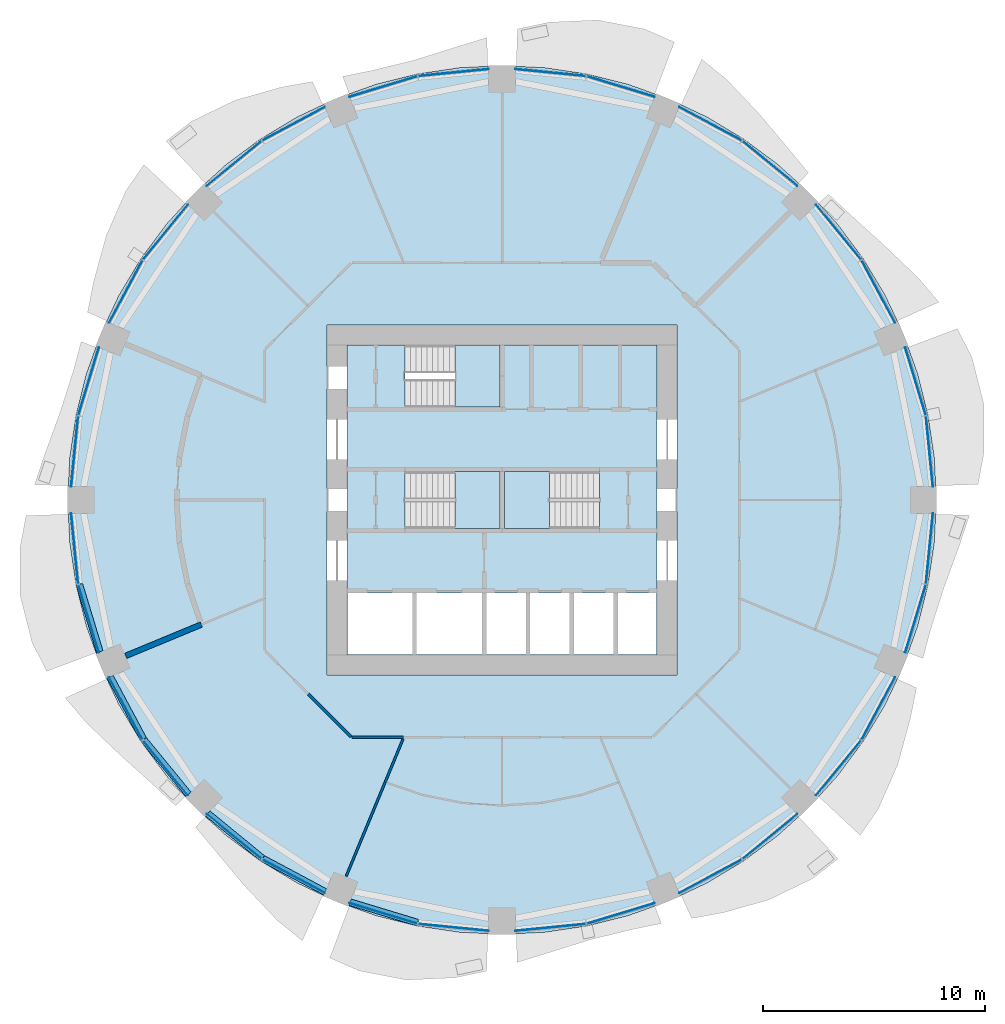
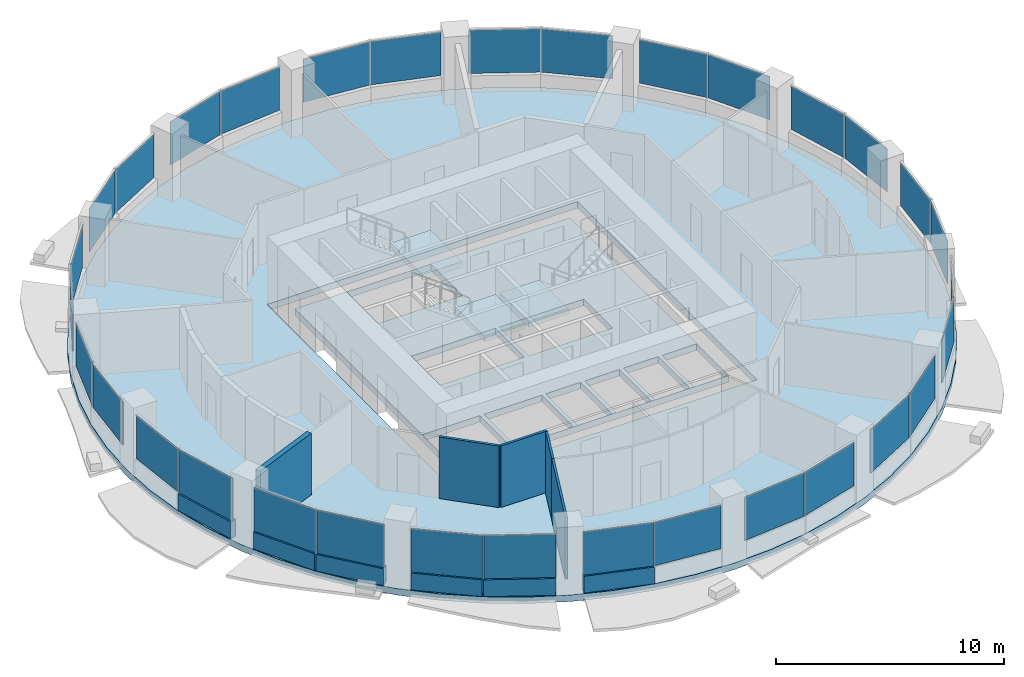
# One storey, part 7 of 15: 32 plates, 11 walls, 5 slabs, 19 elements without a shape of their own.
"""IFC4 building model written with IfcOpenShell, lengths in metres."""

from ifc_helpers import new_model, si_unit, direction, frame, frame_2d, origin, origin_2d, place, context, subcontext, project, spatial, polyline, rectangle, outline, extrude, material, layer, layer_set, type_object, element, aggregate, save


model = new_model("IFC4")

# Units and contexts
model_context = context("Model", 3, precision=1e-05, world=origin(), true_north=direction((0.0, 1.0)))
body_context = subcontext(model_context, "Body", "Model", "MODEL_VIEW")
ifc_project = project(units=[si_unit("LENGTHUNIT", "METRE"), si_unit("AREAUNIT", "SQUARE_METRE"), si_unit("VOLUMEUNIT", "CUBIC_METRE"), si_unit("PLANEANGLEUNIT", "RADIAN"), si_unit("MASSUNIT", "GRAM", prefix="KILO")], contexts=[model_context])

# Site, building, storey
site_placement = place(None, origin())
site = spatial("IfcSite", under=ifc_project, at=site_placement, CompositionType="ELEMENT")
building_placement = place(site_placement, origin())
building = spatial("IfcBuilding", under=site, at=building_placement, Name="Polderwave Tower", CompositionType="ELEMENT")
storey_placement = place(building_placement, frame((0.0, 0.0, 62.699951171875)))
storey = spatial("IfcBuildingStorey", under=building, at=storey_placement, Name="L16", CompositionType="ELEMENT", Elevation=62.699951171875)

# Slab
ifc_material_1 = material(Name="Concrete C40/50", Category="concrete")
ifc_layer_1 = layer(ifc_material_1, 0.35009765625)
ifc_layer_set_1 = layer_set([ifc_layer_1], Name="Core floor slab 350")
slab_type_1 = type_object("IfcSlabType", Name="Core floor slab 350", PredefinedType="FLOOR", material=ifc_layer_set_1)
slab_1_placement = place(storey_placement, frame((0.0, 0.0, -0.349853515625)))
element("IfcSlab", 1, at=slab_1_placement, inside=storey, type_object=slab_type_1, Name="L16 core floor", PredefinedType="FLOOR", context=body_context, shape_type="SweptSolid", body=[
    extrude(outline(polyline([(-6.97412109375, -6.97412109375), (6.97412109375, -6.97412109375), (6.97412109375, 6.97412109375), (-6.97412109375, 6.97412109375), (-6.97412109375, -6.97412109375)]), holes=[polyline([(-6.9541015625, -6.9541015625), (-4.037109375, -6.9541015625), (-4.037109375, -4.174072265625), (-6.9541015625, -4.174072265625), (-6.9541015625, -6.9541015625)]), polyline([(-3.8369140625, -6.9541015625), (-0.89990234375, -6.9541015625), (-0.89990234375, -4.174072265625), (-3.8369140625, -4.174072265625), (-3.8369140625, -6.9541015625)]), polyline([(-0.699951171875, -6.9541015625), (1.068603515625, -6.9541015625), (1.068603515625, -4.174072265625), (-0.699951171875, -4.174072265625), (-0.699951171875, -6.9541015625)]), polyline([(1.2685546875, -6.9541015625), (3.037109375, -6.9541015625), (3.037109375, -4.174072265625), (1.2685546875, -4.174072265625), (1.2685546875, -6.9541015625)]), polyline([(3.237060546875, -6.9541015625), (5.005615234375, -6.9541015625), (5.005615234375, -4.174072265625), (3.237060546875, -4.174072265625), (3.237060546875, -6.9541015625)]), polyline([(5.20556640625, -6.9541015625), (6.9541015625, -6.9541015625), (6.9541015625, -4.174072265625), (5.20556640625, -4.174072265625), (5.20556640625, -6.9541015625)]), polyline([(-4.37353515625, -1.2744140625), (-0.1005859375, -1.2744140625), (-0.1005859375, 1.2744140625), (-4.37353515625, 1.2744140625), (-4.37353515625, -1.2744140625)]), polyline([(0.1005859375, -1.2744140625), (4.37353515625, -1.2744140625), (4.37353515625, 1.2744140625), (0.1005859375, 1.2744140625), (0.1005859375, -1.2744140625)]), polyline([(-4.37353515625, 4.174560546875), (-0.1005859375, 4.174560546875), (-0.1005859375, 6.9541015625), (-4.37353515625, 6.9541015625), (-4.37353515625, 4.174560546875)])]), origin(), (0.0, 0.0, 1.0), 0.349853515625),
])

# Curtain wall, plates
ifc_material_2 = material(Name="Aluminium 6063-T6 and glass", Category="aluminium")
curtain_wall_type = type_object("IfcCurtainWallType", Name="Growing floor ribbon glazing wall", PredefinedType="NOTDEFINED", material=ifc_material_2)
curtain_wall_1_placement = place(storey_placement, origin())
curtain_wall_1 = element("IfcCurtainWall", 2, at=curtain_wall_1_placement, inside=storey, type_object=curtain_wall_type, Name="CW2 L16 00", PredefinedType="NOTDEFINED")
ifc_material_3 = material(Name="Glass, low-e laminated double glazing", Category="glass")
ifc_layer_2 = layer(ifc_material_3, 0.028076171875)
ifc_layer_set_2 = layer_set([ifc_layer_2], Name="Growing floor ribbon glazing glass panel 28 mm")
plate_type = type_object("IfcPlateType", Name="Growing floor ribbon glazing glass panel 28 mm", PredefinedType="CURTAIN_PANEL", material=ifc_layer_set_2)
plate_1_placement = place(storey_placement, frame((19.22509765625, 2.181640625, 0.89990234375), z_axis=(0.0, 0.0, 1.0), x_axis=(-0.098176936167, 0.995168975202, 0.0)))
plate_1 = element("IfcPlate", 3, at=plate_1_placement, type_object=plate_type, Name="CW2 panel 1", PredefinedType="CURTAIN_PANEL", context=body_context, shape_type="SweptSolid", body=[
    extrude(rectangle(XDim=3.178466796875, YDim=0.028076171875, at=origin_2d()), origin(), (0.0, 0.0, 1.0), 2.320068359375),
])
plate_2_placement = place(storey_placement, frame((18.59619140625, 5.341796875, 0.89990234375), z_axis=(0.0, 0.0, 1.0), x_axis=(-0.290293028123, 0.956937802484, 0.0)))
plate_2 = element("IfcPlate", 4, at=plate_2_placement, type_object=plate_type, Name="CW2 panel 2", PredefinedType="CURTAIN_PANEL", context=body_context, shape_type="SweptSolid", body=[
    extrude(rectangle(XDim=3.177001953125, YDim=0.028076171875, at=origin_2d()), origin(), (0.0, 0.0, 1.0), 2.320068359375),
])
aggregate(curtain_wall_1, [plate_1, plate_2])

curtain_wall_2_placement = place(storey_placement, origin())
curtain_wall_2 = element("IfcCurtainWall", 5, at=curtain_wall_2_placement, inside=storey, type_object=curtain_wall_type, Name="CW2 L16 01", PredefinedType="NOTDEFINED")
plate_3_placement = place(storey_placement, frame((16.927001953125, 9.372314453125, 0.89990234375), z_axis=(0.0, 0.0, 1.0), x_axis=(-0.471364412407, 0.881938541349, 0.0)))
plate_3 = element("IfcPlate", 6, at=plate_3_placement, type_object=plate_type, Name="CW2 panel 1", PredefinedType="CURTAIN_PANEL", context=body_context, shape_type="SweptSolid", body=[
    extrude(rectangle(XDim=3.177734375, YDim=0.028076171875, at=origin_2d()), origin(), (0.0, 0.0, 1.0), 2.320068359375),
])
plate_4_placement = place(storey_placement, frame((15.136962890625, 12.051513671875, 0.89990234375), z_axis=(0.0, 0.0, 1.0), x_axis=(-0.634340665542, 0.773053633353, 0.0)))
plate_4 = element("IfcPlate", 7, at=plate_4_placement, type_object=plate_type, Name="CW2 panel 2", PredefinedType="CURTAIN_PANEL", context=body_context, shape_type="SweptSolid", body=[
    extrude(rectangle(XDim=3.177978515625, YDim=0.028076171875, at=origin_2d()), origin(), (0.0, 0.0, 1.0), 2.320068359375),
])
aggregate(curtain_wall_2, [plate_3, plate_4])

curtain_wall_3_placement = place(storey_placement, origin())
curtain_wall_3 = element("IfcCurtainWall", 8, at=curtain_wall_3_placement, inside=storey, type_object=curtain_wall_type, Name="CW2 L16 02", PredefinedType="NOTDEFINED")
plate_5_placement = place(storey_placement, frame((12.051513671875, 15.136962890625, 0.89990234375), z_axis=(0.0, 0.0, 1.0), x_axis=(-0.773053633353, 0.634340665542, 0.0)))
plate_5 = element("IfcPlate", 9, at=plate_5_placement, type_object=plate_type, Name="CW2 panel 1", PredefinedType="CURTAIN_PANEL", context=body_context, shape_type="SweptSolid", body=[
    extrude(rectangle(XDim=3.177978515625, YDim=0.028076171875, at=origin_2d()), origin(), (0.0, 0.0, 1.0), 2.320068359375),
])
plate_6_placement = place(storey_placement, frame((9.372314453125, 16.927001953125, 0.89990234375), z_axis=(0.0, 0.0, 1.0), x_axis=(-0.881938541349, 0.471364412407, 0.0)))
plate_6 = element("IfcPlate", 10, at=plate_6_placement, type_object=plate_type, Name="CW2 panel 2", PredefinedType="CURTAIN_PANEL", context=body_context, shape_type="SweptSolid", body=[
    extrude(rectangle(XDim=3.177734375, YDim=0.028076171875, at=origin_2d()), origin(), (0.0, 0.0, 1.0), 2.320068359375),
])
aggregate(curtain_wall_3, [plate_5, plate_6])

curtain_wall_4_placement = place(storey_placement, origin())
curtain_wall_4 = element("IfcCurtainWall", 11, at=curtain_wall_4_placement, inside=storey, type_object=curtain_wall_type, Name="CW2 L16 03", PredefinedType="NOTDEFINED")
plate_7_placement = place(storey_placement, frame((5.341796875, 18.59619140625, 0.89990234375), z_axis=(0.0, 0.0, 1.0), x_axis=(-0.956937802484, 0.290293028123, 0.0)))
plate_7 = element("IfcPlate", 12, at=plate_7_placement, type_object=plate_type, Name="CW2 panel 1", PredefinedType="CURTAIN_PANEL", context=body_context, shape_type="SweptSolid", body=[
    extrude(rectangle(XDim=3.177001953125, YDim=0.028076171875, at=origin_2d()), origin(), (0.0, 0.0, 1.0), 2.320068359375),
])
plate_8_placement = place(storey_placement, frame((2.181640625, 19.22509765625, 0.89990234375), z_axis=(0.0, 0.0, 1.0), x_axis=(-0.995168975202, 0.098176936167, 0.0)))
plate_8 = element("IfcPlate", 13, at=plate_8_placement, type_object=plate_type, Name="CW2 panel 2", PredefinedType="CURTAIN_PANEL", context=body_context, shape_type="SweptSolid", body=[
    extrude(rectangle(XDim=3.178466796875, YDim=0.028076171875, at=origin_2d()), origin(), (0.0, 0.0, 1.0), 2.320068359375),
])
aggregate(curtain_wall_4, [plate_7, plate_8])

curtain_wall_5_placement = place(storey_placement, origin())
curtain_wall_5 = element("IfcCurtainWall", 14, at=curtain_wall_5_placement, inside=storey, type_object=curtain_wall_type, Name="CW2 L16 04", PredefinedType="NOTDEFINED")
plate_9_placement = place(storey_placement, frame((-2.181640625, 19.22509765625, 0.89990234375), z_axis=(0.0, 0.0, 1.0), x_axis=(-0.995168975202, -0.098176936167, 0.0)))
plate_9 = element("IfcPlate", 15, at=plate_9_placement, type_object=plate_type, Name="CW2 panel 1", PredefinedType="CURTAIN_PANEL", context=body_context, shape_type="SweptSolid", body=[
    extrude(rectangle(XDim=3.178466796875, YDim=0.028076171875, at=origin_2d()), origin(), (0.0, 0.0, 1.0), 2.320068359375),
])
plate_10_placement = place(storey_placement, frame((-5.341796875, 18.59619140625, 0.89990234375), z_axis=(0.0, 0.0, 1.0), x_axis=(-0.956937802484, -0.290293028123, 0.0)))
plate_10 = element("IfcPlate", 16, at=plate_10_placement, type_object=plate_type, Name="CW2 panel 2", PredefinedType="CURTAIN_PANEL", context=body_context, shape_type="SweptSolid", body=[
    extrude(rectangle(XDim=3.177001953125, YDim=0.028076171875, at=origin_2d()), origin(), (0.0, 0.0, 1.0), 2.320068359375),
])
aggregate(curtain_wall_5, [plate_9, plate_10])

curtain_wall_6_placement = place(storey_placement, origin())
curtain_wall_6 = element("IfcCurtainWall", 17, at=curtain_wall_6_placement, inside=storey, type_object=curtain_wall_type, Name="CW2 L16 05", PredefinedType="NOTDEFINED")
plate_11_placement = place(storey_placement, frame((-9.372314453125, 16.927001953125, 0.89990234375), z_axis=(0.0, 0.0, 1.0), x_axis=(-0.881938541349, -0.471364412407, 0.0)))
plate_11 = element("IfcPlate", 18, at=plate_11_placement, type_object=plate_type, Name="CW2 panel 1", PredefinedType="CURTAIN_PANEL", context=body_context, shape_type="SweptSolid", body=[
    extrude(rectangle(XDim=3.177734375, YDim=0.028076171875, at=origin_2d()), origin(), (0.0, 0.0, 1.0), 2.320068359375),
])
plate_12_placement = place(storey_placement, frame((-12.051513671875, 15.136962890625, 0.89990234375), z_axis=(0.0, 0.0, 1.0), x_axis=(-0.773053633353, -0.634340665542, 0.0)))
plate_12 = element("IfcPlate", 19, at=plate_12_placement, type_object=plate_type, Name="CW2 panel 2", PredefinedType="CURTAIN_PANEL", context=body_context, shape_type="SweptSolid", body=[
    extrude(rectangle(XDim=3.177978515625, YDim=0.028076171875, at=origin_2d()), origin(), (0.0, 0.0, 1.0), 2.320068359375),
])
aggregate(curtain_wall_6, [plate_11, plate_12])

curtain_wall_7_placement = place(storey_placement, origin())
curtain_wall_7 = element("IfcCurtainWall", 20, at=curtain_wall_7_placement, inside=storey, type_object=curtain_wall_type, Name="CW2 L16 06", PredefinedType="NOTDEFINED")
plate_13_placement = place(storey_placement, frame((-15.136962890625, 12.051513671875, 0.89990234375), z_axis=(0.0, 0.0, 1.0), x_axis=(-0.634340665542, -0.773053633353, 0.0)))
plate_13 = element("IfcPlate", 21, at=plate_13_placement, type_object=plate_type, Name="CW2 panel 1", PredefinedType="CURTAIN_PANEL", context=body_context, shape_type="SweptSolid", body=[
    extrude(rectangle(XDim=3.177978515625, YDim=0.028076171875, at=origin_2d()), origin(), (0.0, 0.0, 1.0), 2.320068359375),
])
plate_14_placement = place(storey_placement, frame((-16.927001953125, 9.372314453125, 0.89990234375), z_axis=(0.0, 0.0, 1.0), x_axis=(-0.471364412407, -0.881938541349, 0.0)))
plate_14 = element("IfcPlate", 22, at=plate_14_placement, type_object=plate_type, Name="CW2 panel 2", PredefinedType="CURTAIN_PANEL", context=body_context, shape_type="SweptSolid", body=[
    extrude(rectangle(XDim=3.177734375, YDim=0.028076171875, at=origin_2d()), origin(), (0.0, 0.0, 1.0), 2.320068359375),
])
aggregate(curtain_wall_7, [plate_13, plate_14])

curtain_wall_8_placement = place(storey_placement, origin())
curtain_wall_8 = element("IfcCurtainWall", 23, at=curtain_wall_8_placement, inside=storey, type_object=curtain_wall_type, Name="CW2 L16 07", PredefinedType="NOTDEFINED")
plate_15_placement = place(storey_placement, frame((-18.59619140625, 5.341796875, 0.89990234375), z_axis=(0.0, 0.0, 1.0), x_axis=(-0.290293028123, -0.956937802484, 0.0)))
plate_15 = element("IfcPlate", 24, at=plate_15_placement, type_object=plate_type, Name="CW2 panel 1", PredefinedType="CURTAIN_PANEL", context=body_context, shape_type="SweptSolid", body=[
    extrude(rectangle(XDim=3.177001953125, YDim=0.028076171875, at=origin_2d()), origin(), (0.0, 0.0, 1.0), 2.320068359375),
])
plate_16_placement = place(storey_placement, frame((-19.22509765625, 2.181640625, 0.89990234375), z_axis=(0.0, 0.0, 1.0), x_axis=(-0.098176936167, -0.995168975202, 0.0)))
plate_16 = element("IfcPlate", 25, at=plate_16_placement, type_object=plate_type, Name="CW2 panel 2", PredefinedType="CURTAIN_PANEL", context=body_context, shape_type="SweptSolid", body=[
    extrude(rectangle(XDim=3.178466796875, YDim=0.028076171875, at=origin_2d()), origin(), (0.0, 0.0, 1.0), 2.320068359375),
])
aggregate(curtain_wall_8, [plate_15, plate_16])

curtain_wall_9_placement = place(storey_placement, origin())
curtain_wall_9 = element("IfcCurtainWall", 26, at=curtain_wall_9_placement, inside=storey, type_object=curtain_wall_type, Name="CW2 L16 08", PredefinedType="NOTDEFINED")
plate_17_placement = place(storey_placement, frame((-19.22509765625, -2.181640625, 0.89990234375), z_axis=(0.0, 0.0, 1.0), x_axis=(0.098176936167, -0.995168975202, 0.0)))
plate_17 = element("IfcPlate", 27, at=plate_17_placement, type_object=plate_type, Name="CW2 panel 1", PredefinedType="CURTAIN_PANEL", context=body_context, shape_type="SweptSolid", body=[
    extrude(rectangle(XDim=3.178466796875, YDim=0.028076171875, at=origin_2d()), origin(), (0.0, 0.0, 1.0), 2.320068359375),
])
plate_18_placement = place(storey_placement, frame((-18.59619140625, -5.341796875, 0.89990234375), z_axis=(0.0, 0.0, 1.0), x_axis=(0.290293028123, -0.956937802484, 0.0)))
plate_18 = element("IfcPlate", 28, at=plate_18_placement, type_object=plate_type, Name="CW2 panel 2", PredefinedType="CURTAIN_PANEL", context=body_context, shape_type="SweptSolid", body=[
    extrude(rectangle(XDim=3.177001953125, YDim=0.028076171875, at=origin_2d()), origin(), (0.0, 0.0, 1.0), 2.320068359375),
])
aggregate(curtain_wall_9, [plate_17, plate_18])

curtain_wall_10_placement = place(storey_placement, origin())
curtain_wall_10 = element("IfcCurtainWall", 29, at=curtain_wall_10_placement, inside=storey, type_object=curtain_wall_type, Name="CW2 L16 09", PredefinedType="NOTDEFINED")
plate_19_placement = place(storey_placement, frame((-16.927001953125, -9.372314453125, 0.89990234375), z_axis=(0.0, 0.0, 1.0), x_axis=(0.471364412407, -0.881938541349, 0.0)))
plate_19 = element("IfcPlate", 30, at=plate_19_placement, type_object=plate_type, Name="CW2 panel 1", PredefinedType="CURTAIN_PANEL", context=body_context, shape_type="SweptSolid", body=[
    extrude(rectangle(XDim=3.177734375, YDim=0.028076171875, at=origin_2d()), origin(), (0.0, 0.0, 1.0), 2.320068359375),
])
plate_20_placement = place(storey_placement, frame((-15.136962890625, -12.051513671875, 0.89990234375), z_axis=(0.0, 0.0, 1.0), x_axis=(0.634340665542, -0.773053633353, 0.0)))
plate_20 = element("IfcPlate", 31, at=plate_20_placement, type_object=plate_type, Name="CW2 panel 2", PredefinedType="CURTAIN_PANEL", context=body_context, shape_type="SweptSolid", body=[
    extrude(rectangle(XDim=3.177978515625, YDim=0.028076171875, at=origin_2d()), origin(), (0.0, 0.0, 1.0), 2.320068359375),
])
aggregate(curtain_wall_10, [plate_19, plate_20])

curtain_wall_11_placement = place(storey_placement, origin())
curtain_wall_11 = element("IfcCurtainWall", 32, at=curtain_wall_11_placement, inside=storey, type_object=curtain_wall_type, Name="CW2 L16 10", PredefinedType="NOTDEFINED")
plate_21_placement = place(storey_placement, frame((-12.051513671875, -15.136962890625, 0.89990234375), z_axis=(0.0, 0.0, 1.0), x_axis=(0.773053633353, -0.634340665542, 0.0)))
plate_21 = element("IfcPlate", 33, at=plate_21_placement, type_object=plate_type, Name="CW2 panel 1", PredefinedType="CURTAIN_PANEL", context=body_context, shape_type="SweptSolid", body=[
    extrude(rectangle(XDim=3.177978515625, YDim=0.028076171875, at=origin_2d()), origin(), (0.0, 0.0, 1.0), 2.320068359375),
])
plate_22_placement = place(storey_placement, frame((-9.372314453125, -16.927001953125, 0.89990234375), z_axis=(0.0, 0.0, 1.0), x_axis=(0.881938541349, -0.471364412407, 0.0)))
plate_22 = element("IfcPlate", 34, at=plate_22_placement, type_object=plate_type, Name="CW2 panel 2", PredefinedType="CURTAIN_PANEL", context=body_context, shape_type="SweptSolid", body=[
    extrude(rectangle(XDim=3.177734375, YDim=0.028076171875, at=origin_2d()), origin(), (0.0, 0.0, 1.0), 2.320068359375),
])
aggregate(curtain_wall_11, [plate_21, plate_22])

curtain_wall_12_placement = place(storey_placement, origin())
curtain_wall_12 = element("IfcCurtainWall", 35, at=curtain_wall_12_placement, inside=storey, type_object=curtain_wall_type, Name="CW2 L16 11", PredefinedType="NOTDEFINED")
plate_23_placement = place(storey_placement, frame((-5.341796875, -18.59619140625, 0.89990234375), z_axis=(0.0, 0.0, 1.0), x_axis=(0.956937802484, -0.290293028123, 0.0)))
plate_23 = element("IfcPlate", 36, at=plate_23_placement, type_object=plate_type, Name="CW2 panel 1", PredefinedType="CURTAIN_PANEL", context=body_context, shape_type="SweptSolid", body=[
    extrude(rectangle(XDim=3.177001953125, YDim=0.028076171875, at=origin_2d()), origin(), (0.0, 0.0, 1.0), 2.320068359375),
])
plate_24_placement = place(storey_placement, frame((-2.181640625, -19.22509765625, 0.89990234375), z_axis=(0.0, 0.0, 1.0), x_axis=(0.995168975202, -0.098176936167, 0.0)))
plate_24 = element("IfcPlate", 37, at=plate_24_placement, type_object=plate_type, Name="CW2 panel 2", PredefinedType="CURTAIN_PANEL", context=body_context, shape_type="SweptSolid", body=[
    extrude(rectangle(XDim=3.178466796875, YDim=0.028076171875, at=origin_2d()), origin(), (0.0, 0.0, 1.0), 2.320068359375),
])
aggregate(curtain_wall_12, [plate_23, plate_24])

curtain_wall_13_placement = place(storey_placement, origin())
curtain_wall_13 = element("IfcCurtainWall", 38, at=curtain_wall_13_placement, inside=storey, type_object=curtain_wall_type, Name="CW2 L16 12", PredefinedType="NOTDEFINED")
plate_25_placement = place(storey_placement, frame((2.181640625, -19.22509765625, 0.89990234375), z_axis=(0.0, 0.0, 1.0), x_axis=(0.995168975202, 0.098176936167, 0.0)))
plate_25 = element("IfcPlate", 39, at=plate_25_placement, type_object=plate_type, Name="CW2 panel 1", PredefinedType="CURTAIN_PANEL", context=body_context, shape_type="SweptSolid", body=[
    extrude(rectangle(XDim=3.178466796875, YDim=0.028076171875, at=origin_2d()), origin(), (0.0, 0.0, 1.0), 2.320068359375),
])
plate_26_placement = place(storey_placement, frame((5.341796875, -18.59619140625, 0.89990234375), z_axis=(0.0, 0.0, 1.0), x_axis=(0.956937802484, 0.290293028123, 0.0)))
plate_26 = element("IfcPlate", 40, at=plate_26_placement, type_object=plate_type, Name="CW2 panel 2", PredefinedType="CURTAIN_PANEL", context=body_context, shape_type="SweptSolid", body=[
    extrude(rectangle(XDim=3.177001953125, YDim=0.028076171875, at=origin_2d()), origin(), (0.0, 0.0, 1.0), 2.320068359375),
])
aggregate(curtain_wall_13, [plate_25, plate_26])

curtain_wall_14_placement = place(storey_placement, origin())
curtain_wall_14 = element("IfcCurtainWall", 41, at=curtain_wall_14_placement, inside=storey, type_object=curtain_wall_type, Name="CW2 L16 13", PredefinedType="NOTDEFINED")
plate_27_placement = place(storey_placement, frame((9.372314453125, -16.927001953125, 0.89990234375), z_axis=(0.0, 0.0, 1.0), x_axis=(0.881938541349, 0.471364412407, 0.0)))
plate_27 = element("IfcPlate", 42, at=plate_27_placement, type_object=plate_type, Name="CW2 panel 1", PredefinedType="CURTAIN_PANEL", context=body_context, shape_type="SweptSolid", body=[
    extrude(rectangle(XDim=3.177734375, YDim=0.028076171875, at=origin_2d()), origin(), (0.0, 0.0, 1.0), 2.320068359375),
])
plate_28_placement = place(storey_placement, frame((12.051513671875, -15.136962890625, 0.89990234375), z_axis=(0.0, 0.0, 1.0), x_axis=(0.773053633353, 0.634340665542, 0.0)))
plate_28 = element("IfcPlate", 43, at=plate_28_placement, type_object=plate_type, Name="CW2 panel 2", PredefinedType="CURTAIN_PANEL", context=body_context, shape_type="SweptSolid", body=[
    extrude(rectangle(XDim=3.177978515625, YDim=0.028076171875, at=origin_2d()), origin(), (0.0, 0.0, 1.0), 2.320068359375),
])
aggregate(curtain_wall_14, [plate_27, plate_28])

curtain_wall_15_placement = place(storey_placement, origin())
curtain_wall_15 = element("IfcCurtainWall", 44, at=curtain_wall_15_placement, inside=storey, type_object=curtain_wall_type, Name="CW2 L16 14", PredefinedType="NOTDEFINED")
plate_29_placement = place(storey_placement, frame((15.136962890625, -12.051513671875, 0.89990234375), z_axis=(0.0, 0.0, 1.0), x_axis=(0.634340665542, 0.773053633353, 0.0)))
plate_29 = element("IfcPlate", 45, at=plate_29_placement, type_object=plate_type, Name="CW2 panel 1", PredefinedType="CURTAIN_PANEL", context=body_context, shape_type="SweptSolid", body=[
    extrude(rectangle(XDim=3.177978515625, YDim=0.028076171875, at=origin_2d()), origin(), (0.0, 0.0, 1.0), 2.320068359375),
])
plate_30_placement = place(storey_placement, frame((16.927001953125, -9.372314453125, 0.89990234375), z_axis=(0.0, 0.0, 1.0), x_axis=(0.471364412407, 0.881938541349, 0.0)))
plate_30 = element("IfcPlate", 46, at=plate_30_placement, type_object=plate_type, Name="CW2 panel 2", PredefinedType="CURTAIN_PANEL", context=body_context, shape_type="SweptSolid", body=[
    extrude(rectangle(XDim=3.177734375, YDim=0.028076171875, at=origin_2d()), origin(), (0.0, 0.0, 1.0), 2.320068359375),
])
aggregate(curtain_wall_15, [plate_29, plate_30])

curtain_wall_16_placement = place(storey_placement, origin())
curtain_wall_16 = element("IfcCurtainWall", 47, at=curtain_wall_16_placement, inside=storey, type_object=curtain_wall_type, Name="CW2 L16 15", PredefinedType="NOTDEFINED")
plate_31_placement = place(storey_placement, frame((18.59619140625, -5.341796875, 0.89990234375), z_axis=(0.0, 0.0, 1.0), x_axis=(0.290293028123, 0.956937802484, 0.0)))
plate_31 = element("IfcPlate", 48, at=plate_31_placement, type_object=plate_type, Name="CW2 panel 1", PredefinedType="CURTAIN_PANEL", context=body_context, shape_type="SweptSolid", body=[
    extrude(rectangle(XDim=3.177001953125, YDim=0.028076171875, at=origin_2d()), origin(), (0.0, 0.0, 1.0), 2.320068359375),
])
plate_32_placement = place(storey_placement, frame((19.22509765625, -2.181640625, 0.89990234375), z_axis=(0.0, 0.0, 1.0), x_axis=(0.098176936167, 0.995168975202, 0.0)))
plate_32 = element("IfcPlate", 49, at=plate_32_placement, type_object=plate_type, Name="CW2 panel 2", PredefinedType="CURTAIN_PANEL", context=body_context, shape_type="SweptSolid", body=[
    extrude(rectangle(XDim=3.178466796875, YDim=0.028076171875, at=origin_2d()), origin(), (0.0, 0.0, 1.0), 2.320068359375),
])
aggregate(curtain_wall_16, [plate_31, plate_32])

# Slab
ifc_layer_3 = layer(ifc_material_1, 0.35009765625)
ifc_layer_set_3 = layer_set([ifc_layer_3], Name="PT FLOOR SLAB 350 C40/50")
slab_type_2 = type_object("IfcSlabType", Name="PT FLOOR SLAB 350 C40/50", PredefinedType="FLOOR", material=ifc_layer_set_3)
slab_2_placement = place(storey_placement, frame((0.0, 0.0, -0.349853515625)))
element("IfcSlab", 50, at=slab_2_placement, inside=storey, type_object=slab_type_2, Name="ST-SLAB-L16", PredefinedType="FLOOR", context=body_context, shape_type="SweptSolid", body=[
    extrude(outline(polyline([(19.5400390625, 0.0), (19.44580078125, 1.915283203125), (19.16455078125, 3.81201171875), (18.698486328125, 5.672119140625), (18.052490234375, 7.4775390625), (17.232666015625, 9.211181640625), (16.246826171875, 10.855712890625), (15.1044921875, 12.39599609375), (13.81689453125, 13.81689453125), (12.39599609375, 15.1044921875), (10.855712890625, 16.246826171875), (9.211181640625, 17.232666015625), (7.4775390625, 18.052490234375), (5.672119140625, 18.698486328125), (3.81201171875, 19.16455078125), (1.915283203125, 19.44580078125), (0.0, 19.5400390625), (-1.915283203125, 19.44580078125), (-3.81201171875, 19.16455078125), (-5.672119140625, 18.698486328125), (-7.4775390625, 18.052490234375), (-9.211181640625, 17.232666015625), (-10.855712890625, 16.246826171875), (-12.39599609375, 15.1044921875), (-13.81689453125, 13.81689453125), (-15.1044921875, 12.39599609375), (-16.246826171875, 10.855712890625), (-17.232666015625, 9.211181640625), (-18.052490234375, 7.4775390625), (-18.698486328125, 5.672119140625), (-19.16455078125, 3.81201171875), (-19.44580078125, 1.915283203125), (-19.5400390625, 0.0), (-19.44580078125, -1.915283203125), (-19.16455078125, -3.81201171875), (-18.698486328125, -5.672119140625), (-18.052490234375, -7.4775390625), (-17.232666015625, -9.211181640625), (-16.246826171875, -10.855712890625), (-15.1044921875, -12.39599609375), (-13.81689453125, -13.81689453125), (-12.39599609375, -15.1044921875), (-10.855712890625, -16.246826171875), (-9.211181640625, -17.232666015625), (-7.4775390625, -18.052490234375), (-5.672119140625, -18.698486328125), (-3.81201171875, -19.16455078125), (-1.915283203125, -19.44580078125), (0.0, -19.5400390625), (1.915283203125, -19.44580078125), (3.81201171875, -19.16455078125), (5.672119140625, -18.698486328125), (7.4775390625, -18.052490234375), (9.211181640625, -17.232666015625), (10.855712890625, -16.246826171875), (12.39599609375, -15.1044921875), (13.81689453125, -13.81689453125), (15.1044921875, -12.39599609375), (16.246826171875, -10.855712890625), (17.232666015625, -9.211181640625), (18.052490234375, -7.4775390625), (18.698486328125, -5.672119140625), (19.16455078125, -3.81201171875), (19.44580078125, -1.915283203125), (19.5400390625, 0.0)]), holes=[polyline([(-7.8740234375, -7.8740234375), (7.8740234375, -7.8740234375), (7.8740234375, 7.8740234375), (-7.8740234375, 7.8740234375), (-7.8740234375, -7.8740234375)])]), origin(), (0.0, 0.0, 1.0), 0.349853515625),
])

# Stair, slab
stair_type = type_object("IfcStairType", Name="Exit stair 1200 x 20 risers", PredefinedType="HALF_TURN_STAIR", material=ifc_material_1)
stair_1_placement = place(storey_placement, origin())
stair_1 = element("IfcStair", 51, at=stair_1_placement, inside=storey, type_object=stair_type, Name="L16 Exit stair A", PredefinedType="HALF_TURN_STAIR")
ifc_layer_4 = layer(ifc_material_1, 0.300048828125)
ifc_layer_set_4 = layer_set([ifc_layer_4], Name="Stair landing 300")
slab_type_3 = type_object("IfcSlabType", Name="Stair landing 300", PredefinedType="LANDING", material=ifc_layer_set_4)
slab_3_placement = place(storey_placement, frame((0.0, 0.0, 1.525146484375)))
slab_3 = element("IfcSlab", 52, at=slab_3_placement, type_object=slab_type_3, Name="ST-A landing 1", PredefinedType="LANDING", context=body_context, shape_type="SweptSolid", body=[
    extrude(outline(polyline([(-2.1240234375, -1.27490234375), (-0.10009765625, -1.27490234375), (-0.10009765625, 1.27490234375), (-2.1240234375, 1.27490234375), (-2.1240234375, -1.27490234375)])), origin(), (0.0, 0.0, 1.0), 0.2998046875),
])
aggregate(stair_1, [slab_3])

stair_2_placement = place(storey_placement, origin())
stair_2 = element("IfcStair", 53, at=stair_2_placement, inside=storey, type_object=stair_type, Name="L16 Exit stair B", PredefinedType="HALF_TURN_STAIR")
slab_4_placement = place(storey_placement, frame((0.0, 0.0, 1.525146484375)))
slab_4 = element("IfcSlab", 54, at=slab_4_placement, type_object=slab_type_3, Name="ST-B landing 1", PredefinedType="LANDING", context=body_context, shape_type="SweptSolid", body=[
    extrude(outline(polyline([(2.1240234375, 1.27490234375), (0.10009765625, 1.27490234375), (0.10009765625, -1.27490234375), (2.1240234375, -1.27490234375), (2.1240234375, 1.27490234375)])), origin(), (0.0, 0.0, 1.0), 0.2998046875),
])
aggregate(stair_2, [slab_4])

stair_3_placement = place(storey_placement, origin())
stair_3 = element("IfcStair", 55, at=stair_3_placement, inside=storey, type_object=stair_type, Name="L16 Exit stair C", PredefinedType="HALF_TURN_STAIR")
slab_5_placement = place(storey_placement, frame((0.0, 0.0, 1.525146484375)))
slab_5 = element("IfcSlab", 56, at=slab_5_placement, type_object=slab_type_3, Name="ST-C landing 1", PredefinedType="LANDING", context=body_context, shape_type="SweptSolid", body=[
    extrude(outline(polyline([(-2.1240234375, 4.174072265625), (-0.10009765625, 4.174072265625), (-0.10009765625, 6.97412109375), (-2.1240234375, 6.97412109375), (-2.1240234375, 4.174072265625)])), origin(), (0.0, 0.0, 1.0), 0.2998046875),
])
aggregate(stair_3, [slab_5])

# Walls
ifc_material_4 = material(Name="Concrete C50/60 (board-marked)", Category="concrete")
ifc_layer_5 = layer(ifc_material_4, 0.300048828125)
ifc_layer_set_5 = layer_set([ifc_layer_5], Name="Concrete spandrel upstand C50/60")
wall_type_1 = type_object("IfcWallType", Name="Concrete spandrel upstand C50/60", PredefinedType="SOLIDWALL", material=ifc_layer_set_5)
wall_1_placement = place(storey_placement, frame((-19.0126953125, -3.79736328125, 0.0), z_axis=(0.0, 0.0, 1.0), x_axis=(0.290456409527, -0.956888224489, 0.0)))
element("IfcWall", 57, at=wall_1_placement, inside=storey, type_object=wall_type_1, Name="Spandrel L16 9b", PredefinedType="SOLIDWALL", context=body_context, shape_type="SweptSolid", body=[
    extrude(rectangle(XDim=3.1689453125, YDim=0.300048828125, at=frame_2d((1.58447265625, 0.0))), origin(), (0.0, 0.0, 1.0), 0.900146484375),
])
wall_2_placement = place(storey_placement, frame((-17.622802734375, -7.963134765625, 0.0), z_axis=(0.0, 0.0, 1.0), x_axis=(0.47123575379, -0.882007292685, 0.0)))
element("IfcWall", 58, at=wall_2_placement, inside=storey, type_object=wall_type_1, Name="Spandrel L16 10a", PredefinedType="SOLIDWALL", context=body_context, shape_type="SweptSolid", body=[
    extrude(rectangle(XDim=3.169677734375, YDim=0.300048828125, at=frame_2d((1.5849609375, 0.0))), origin(), (0.0, 0.0, 1.0), 0.900146484375),
])
for number, where, z_axis, x_axis, name in (
    (59, (-16.112548828125, -10.78369140625, 0.0), (0.0, 0.0, 1.0), (0.634164330819, -0.773198293788, 0.0), "Spandrel L16 10b"),
    (60, (-13.234375, -14.1025390625, 0.0), (0.0, 0.0, 1.0), (0.773198293788, -0.634164330819, 0.0), "Spandrel L16 11a"),
):
    element("IfcWall", number, at=place(storey_placement, frame(where, z_axis=z_axis, x_axis=x_axis)), inside=storey, type_object=wall_type_1, Name=name, PredefinedType="SOLIDWALL", context=body_context, shape_type="SweptSolid", body=[
        extrude(rectangle(XDim=3.16943359375, YDim=0.300048828125, at=frame_2d((1.584716796875, 0.0))), origin(), (0.0, 0.0, 1.0), 0.900146484375),
    ])
wall_3_placement = place(storey_placement, frame((-10.7587890625, -16.129150390625, 0.0), z_axis=(0.0, 0.0, 1.0), x_axis=(0.882007292685, -0.47123575379, 0.0)))
element("IfcWall", 61, at=wall_3_placement, inside=storey, type_object=wall_type_1, Name="Spandrel L16 11b", PredefinedType="SOLIDWALL", context=body_context, shape_type="SweptSolid", body=[
    extrude(rectangle(XDim=3.169677734375, YDim=0.300048828125, at=frame_2d((1.5849609375, 0.0))), origin(), (0.0, 0.0, 1.0), 0.900146484375),
])
wall_4_placement = place(storey_placement, frame((-6.82958984375, -18.09228515625, 0.0), z_axis=(0.0, 0.0, 1.0), x_axis=(0.956888224489, -0.290456409527, 0.0)))
element("IfcWall", 62, at=wall_4_placement, inside=storey, type_object=wall_type_1, Name="Spandrel L16 12a", PredefinedType="SOLIDWALL", context=body_context, shape_type="SweptSolid", body=[
    extrude(rectangle(XDim=3.1689453125, YDim=0.300048828125, at=frame_2d((1.58447265625, 0.0))), origin(), (0.0, 0.0, 1.0), 0.900146484375),
])
ifc_material_5 = material(Name="Fire-resisting board on steel studs", Category="steel")
ifc_layer_6 = layer(ifc_material_5, 0.125)
ifc_layer_set_6 = layer_set([ifc_layer_6], Name="Corridor wall 125 mm EI 60")
wall_type_2 = type_object("IfcWallType", Name="Corridor wall 125 mm EI 60", PredefinedType="PARTITIONING", material=ifc_layer_set_6)
wall_5_placement = place(storey_placement, frame((-6.789306640625, -10.65576171875, 0.0), z_axis=(0.0, 0.0, 1.0), x_axis=(-0.707062130741, 0.707151428813, 0.0)))
element("IfcWall", 63, at=wall_5_placement, inside=storey, type_object=wall_type_2, Name="IN-L16-W018", PredefinedType="PARTITIONING", context=body_context, shape_type="SweptSolid", body=[
    extrude(rectangle(XDim=2.73388671875, YDim=0.125, at=frame_2d((1.366943359375, 0.0))), origin(), (0.0, 0.0, 1.0), 3.300048828125),
])
wall_6_placement = place(storey_placement, frame((-4.42138671875, -10.674072265625, 0.0), z_axis=(0.0, 0.0, 1.0), x_axis=(-1.0, 0.0, 0.0)))
element("IfcWall", 64, at=wall_6_placement, inside=storey, type_object=wall_type_2, Name="IN-L16-W019", PredefinedType="PARTITIONING", context=body_context, shape_type="SweptSolid", body=[
    extrude(rectangle(XDim=2.32373046875, YDim=0.125, at=frame_2d((1.161865234375, 0.0))), origin(), (0.0, 0.0, 1.0), 3.300048828125),
])
ifc_material_6 = material(Name="Moisture-resistant board on steel studs, tiled", Category="steel")
ifc_layer_7 = layer(ifc_material_6, 0.10498046875)
ifc_layer_set_7 = layer_set([ifc_layer_7], Name="Partition 105 mm wet room board and tile")
wall_type_3 = type_object("IfcWallType", Name="Partition 105 mm wet room board and tile", PredefinedType="PARTITIONING", material=ifc_layer_set_7)
wall_7_placement = place(storey_placement, frame((-4.45556640625, -10.756591796875, 0.0), z_axis=(0.0, 0.0, 1.0), x_axis=(-0.382663674763, -0.92388771613, 0.0)))
element("IfcWall", 65, at=wall_7_placement, inside=storey, type_object=wall_type_3, Name="IN-L16-W052", PredefinedType="PARTITIONING", context=body_context, shape_type="SweptSolid", body=[
    extrude(rectangle(XDim=2.09716796875, YDim=0.10498046875, at=frame_2d((1.048583984375, 0.0))), origin(), (0.0, 0.0, 1.0), 3.300048828125),
])
wall_8_placement = place(storey_placement, frame((-5.258056640625, -12.694091796875, 0.0), z_axis=(0.0, 0.0, 1.0), x_axis=(-0.382710364739, -0.923868376297, 0.0)))
element("IfcWall", 66, at=wall_8_placement, inside=storey, type_object=wall_type_3, Name="IN-L16-W053", PredefinedType="PARTITIONING", context=body_context, shape_type="SweptSolid", body=[
    extrude(rectangle(XDim=4.570068359375, YDim=0.10498046875, at=frame_2d((2.28515625, 0.0))), origin(), (0.0, 0.0, 1.0), 3.300048828125),
])
ifc_material_7 = material(Name="Fire-resisting board on steel studs, mineral wool", Category="steel")
ifc_layer_8 = layer(ifc_material_7, 0.25)
ifc_layer_set_8 = layer_set([ifc_layer_8], Name="Plant room wall 250 mm EI 120")
wall_type_4 = type_object("IfcWallType", Name="Plant room wall 250 mm EI 120", PredefinedType="PARTITIONING", material=ifc_layer_set_8)
wall_9_placement = place(storey_placement, frame((-13.525634765625, -5.6025390625, 0.0), z_axis=(0.0, 0.0, 1.0), x_axis=(-0.923870076355, -0.382706260748, 0.0)))
element("IfcWall", 67, at=wall_9_placement, inside=storey, type_object=wall_type_4, Name="IN-L16-W050", PredefinedType="PARTITIONING", context=body_context, shape_type="SweptSolid", body=[
    extrude(rectangle(XDim=3.669921875, YDim=0.25, at=frame_2d((1.8349609375, 0.0))), origin(), (0.0, 0.0, 1.0), 3.300048828125),
])

save(model, "model.ifc")
